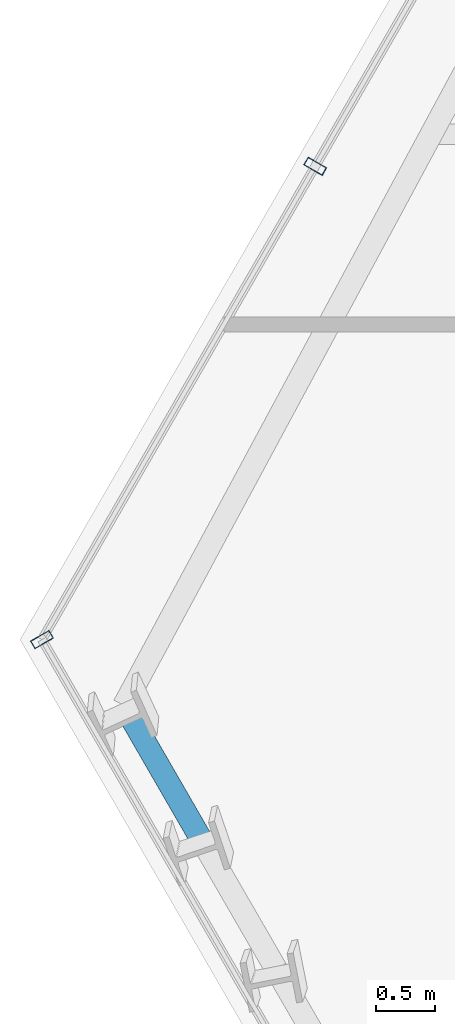
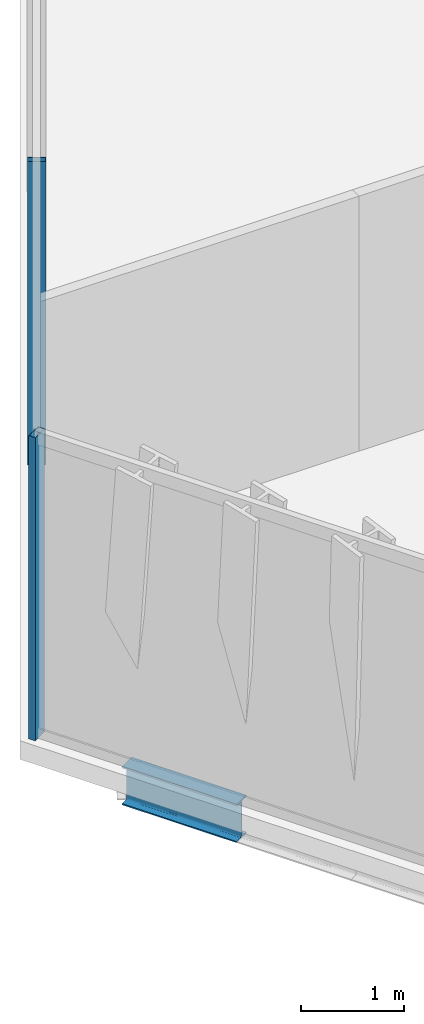
# One storey, part 5 of 33: 2 members, 1 beam, 2 elements without a shape of their own.
"""IFC4 building model written with IfcOpenShell, lengths in metres."""

from ifc_helpers import new_model, si_unit, direction, frame, origin, origin_2d, place, context, subcontext, project, spatial, hollow_rectangle, i_section, extrude, material, layer, layer_set, material_profile, profile_set, type_object, element, aggregate, save


model = new_model("IFC4")

# Units and contexts
model_context = context("Model", 3, precision=1e-05, world=origin(), true_north=direction((0.0, 1.0)))
body_context = subcontext(model_context, "Body", "Model", "MODEL_VIEW")
ifc_project = project(units=[si_unit("LENGTHUNIT", "METRE"), si_unit("AREAUNIT", "SQUARE_METRE"), si_unit("VOLUMEUNIT", "CUBIC_METRE"), si_unit("PLANEANGLEUNIT", "RADIAN"), si_unit("MASSUNIT", "GRAM", prefix="KILO")], contexts=[model_context])

# Site, building, storey
site_placement = place(None, origin())
site = spatial("IfcSite", under=ifc_project, at=site_placement, CompositionType="ELEMENT")
building_placement = place(site_placement, origin())
building = spatial("IfcBuilding", under=site, at=building_placement, Name="Ndaravel Arena Tower", CompositionType="ELEMENT")
storey_placement = place(building_placement, frame((0.0, 0.0, 168.800048828125)))
storey = spatial("IfcBuildingStorey", under=building, at=storey_placement, Name="L40", CompositionType="ELEMENT", Elevation=168.800048828125)

# Beam
ifc_material_1 = material(Name="Steel S355", Category="steel")
ifc_material_profile_1 = material_profile(ifc_material_1, i_section(OverallWidth=0.18994140625, OverallDepth=0.449951171875, WebThickness=0.009521484375, FlangeThickness=0.0146484375, FilletRadius=0.02099609375, at=origin_2d()), Name="IPE 450")
ifc_profile_set_1 = profile_set([ifc_material_profile_1], Name="Steel S355")
beam_type = type_object("IfcBeamType", Name="BM-SPAN-IPE450", PredefinedType="SPANDREL", material=ifc_profile_set_1)
beam_placement = place(storey_placement, frame((18.994140625, 13.794189453125, -0.445068359375), z_axis=(0.499893060024, -0.866087136806, 0.0), x_axis=(0.866087136806, 0.499893060024, 0.0)))
element("IfcBeam", 1, at=beam_placement, inside=storey, type_object=beam_type, Name="L40 Perimeter Spandrel Beam SP-20", PredefinedType="SPANDREL", context=body_context, shape_type="SweptSolid", body=[
    extrude(i_section(OverallWidth=0.18994140625, OverallDepth=0.449951171875, WebThickness=0.009521484375, FlangeThickness=0.0146484375, FilletRadius=0.02099609375, at=origin_2d()), origin(), (0.0, 0.0, 1.0), 1.280029296875),
])

# Curtain wall, member
ifc_material_2 = material(Name="Aluminium", Category="aluminium")
ifc_layer_1 = layer(ifc_material_2, 0.179931640625)
ifc_layer_set_1 = layer_set([ifc_layer_1], Name="Aluminium")
curtain_wall_type_1 = type_object("IfcCurtainWallType", Name="CW-SYS-03", PredefinedType="NOTDEFINED", material=ifc_layer_set_1)
curtain_wall_1_placement = place(storey_placement, origin())
curtain_wall_1 = element("IfcCurtainWall", 2, at=curtain_wall_1_placement, inside=storey, type_object=curtain_wall_type_1, Name="L40 Faceted Crystal Curtain Wall CW-L40-E05", PredefinedType="NOTDEFINED")
ifc_material_3 = material(Name="Aluminium", Category="aluminium")
ifc_material_profile_2 = material_profile(ifc_material_3, hollow_rectangle(XDim=0.074951171875, YDim=0.179931640625, WallThickness=0.00390625, at=origin_2d()), Name="CW MULLION 75x180x4")
ifc_profile_set_2 = profile_set([ifc_material_profile_2], Name="Aluminium")
member_type = type_object("IfcMemberType", Name="MEM-CW-MUL180", PredefinedType="MULLION", material=ifc_profile_set_2)
member_1_placement = place(storey_placement, frame((20.603515625, 18.330078125, 0.0), z_axis=(0.0, 0.0, 1.0), x_axis=(-0.5, -0.866025403784, 0.0)))
member_1 = element("IfcMember", 3, at=member_1_placement, type_object=member_type, Name="CW-L40-E05 Mullion 07", PredefinedType="MULLION", context=body_context, shape_type="SweptSolid", body=[
    extrude(hollow_rectangle(XDim=0.074951171875, YDim=0.179931640625, WallThickness=0.00390625, at=origin_2d()), origin(), (0.0, 0.0, 1.0), 3.579833984375),
])
aggregate(curtain_wall_1, [member_1])

ifc_material_4 = material(Name="Aluminium", Category="aluminium")
ifc_layer_2 = layer(ifc_material_4, 0.179931640625)
ifc_layer_set_2 = layer_set([ifc_layer_2], Name="Aluminium")
curtain_wall_type_2 = type_object("IfcCurtainWallType", Name="CW-SYS-02", PredefinedType="NOTDEFINED", material=ifc_layer_set_2)
curtain_wall_2_placement = place(storey_placement, origin())
curtain_wall_2 = element("IfcCurtainWall", 4, at=curtain_wall_2_placement, inside=storey, type_object=curtain_wall_type_2, Name="L40 Faceted Crystal Curtain Wall CW-L40-E06", PredefinedType="NOTDEFINED")
member_2_placement = place(storey_placement, frame((18.3046875, 14.348388671875, 0.0), z_axis=(0.0, 0.0, 1.0), x_axis=(0.5, -0.866025403784, 0.0)))
member_2 = element("IfcMember", 5, at=member_2_placement, type_object=member_type, Name="CW-L40-E06 Mullion 00", PredefinedType="MULLION", context=body_context, shape_type="SweptSolid", body=[
    extrude(hollow_rectangle(XDim=0.074951171875, YDim=0.179931640625, WallThickness=0.00390625, at=origin_2d()), origin(), (0.0, 0.0, 1.0), 3.579833984375),
])
aggregate(curtain_wall_2, [member_2])

save(model, "model.ifc")
